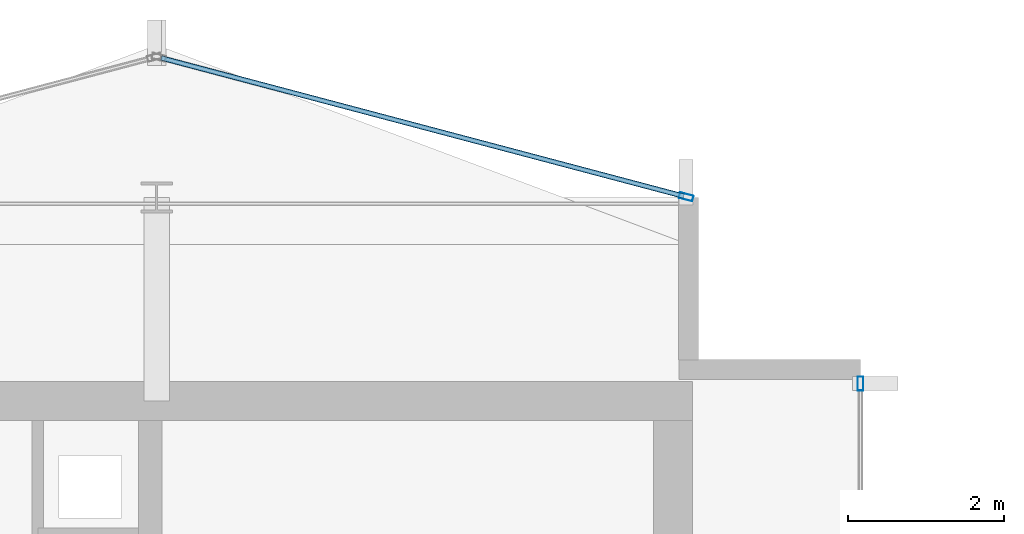
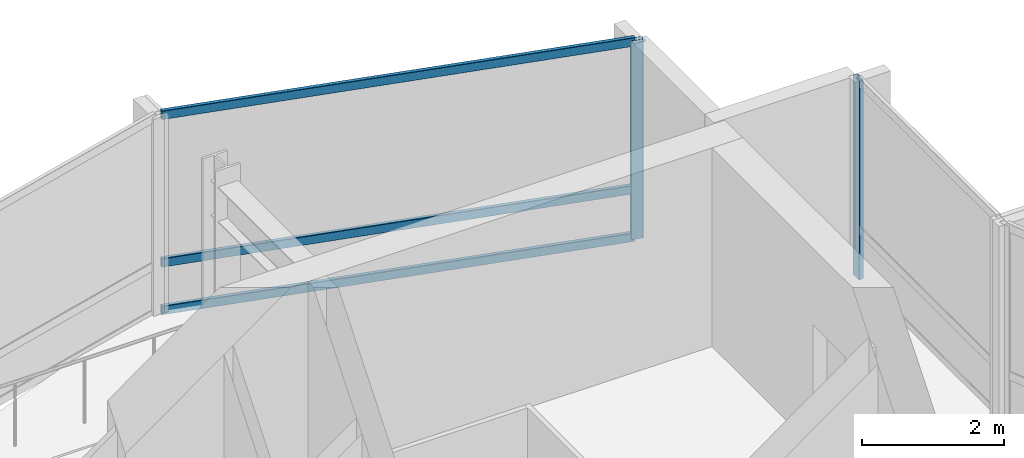
# One storey, part 18 of 28: 5 members, 2 elements without a shape of their own.
"""IFC4 building model written with IfcOpenShell, lengths in metres."""

from ifc_helpers import new_model, si_unit, direction, frame, origin, origin_2d, place, context, subcontext, project, spatial, hollow_rectangle, extrude, material, layer, layer_set, material_profile, profile_set, type_object, element, aggregate, save


model = new_model("IFC4")

# Units and contexts
model_context = context("Model", 3, precision=1e-05, world=origin(), true_north=direction((0.0, 1.0)))
body_context = subcontext(model_context, "Body", "Model", "MODEL_VIEW")
ifc_project = project(units=[si_unit("LENGTHUNIT", "METRE"), si_unit("AREAUNIT", "SQUARE_METRE"), si_unit("VOLUMEUNIT", "CUBIC_METRE"), si_unit("PLANEANGLEUNIT", "RADIAN"), si_unit("MASSUNIT", "GRAM", prefix="KILO")], contexts=[model_context])

# Site, building, storey
site_placement = place(None, origin())
site = spatial("IfcSite", under=ifc_project, at=site_placement, CompositionType="ELEMENT")
building_placement = place(site_placement, origin())
building = spatial("IfcBuilding", under=site, at=building_placement, Name="Solvaryn Broadcast Tower", CompositionType="ELEMENT")
storey_placement = place(building_placement, frame((0.0, 0.0, 209.89990234375)))
storey = spatial("IfcBuildingStorey", under=building, at=storey_placement, Name="L52", CompositionType="ELEMENT", Elevation=209.89990234375)

# Curtain wall, member
ifc_material_1 = material(Name="Aluminium and Terracotta Unitised Curtain Wall", Category="masonry")
ifc_layer = layer(ifc_material_1, 0.199951171875)
ifc_layer_set = layer_set([ifc_layer], Name="CW-SYS2-LOWMID")
curtain_wall_type = type_object("IfcCurtainWallType", Name="CW-SYS2-LOWMID", PredefinedType="NOTDEFINED", material=ifc_layer_set)
curtain_wall_1_placement = place(storey_placement, origin())
curtain_wall_1 = element("IfcCurtainWall", 1, at=curtain_wall_1_placement, inside=storey, type_object=curtain_wall_type, Name="L52 Curtain Wall IV", PredefinedType="NOTDEFINED")
ifc_material_2 = material(Name="Anodised Aluminium 6063-T6", Category="aluminium")
ifc_material_profile_1 = material_profile(ifc_material_2, hollow_rectangle(XDim=0.074951171875, YDim=0.179931640625, WallThickness=0.00390625, InnerFilletRadius=0.00390625, OuterFilletRadius=0.008056640625, at=origin_2d()))
ifc_profile_set_1 = profile_set([ifc_material_profile_1], Name="Anodised Aluminium 6063-T6")
member_type_1 = type_object("IfcMemberType", Name="CW-MUL-180", PredefinedType="MULLION", material=ifc_profile_set_1)
member_1_placement = place(storey_placement, frame((27.0, 42.6201171875, 0.0), z_axis=(0.0, 0.0, 1.0), x_axis=(1.0, 0.0, 0.0)))
member_1 = element("IfcMember", 2, at=member_1_placement, type_object=member_type_1, Name="CWS2 mullion 1", PredefinedType="MULLION", context=body_context, shape_type="SweptSolid", body=[
    extrude(hollow_rectangle(XDim=0.074951171875, YDim=0.179931640625, WallThickness=0.00390625, InnerFilletRadius=0.00390625, OuterFilletRadius=0.008056640625, at=origin_2d()), origin(), (0.0, 0.0, 1.0), 3.420166015625),
])
aggregate(curtain_wall_1, [member_1])

# Curtain wall, members
curtain_wall_2_placement = place(storey_placement, origin())
curtain_wall_2 = element("IfcCurtainWall", 3, at=curtain_wall_2_placement, inside=storey, type_object=curtain_wall_type, Name="L52 Curtain Wall NT1", PredefinedType="NOTDEFINED")
member_2_placement = place(storey_placement, frame((24.77099609375, 45.007568359375, 0.0), z_axis=(0.0, 0.0, 1.0), x_axis=(-0.25589256031, -0.966705227863, 0.0)))
member_2 = element("IfcMember", 4, at=member_2_placement, type_object=member_type_1, Name="CWS2 mullion 1", PredefinedType="MULLION", context=body_context, shape_type="SweptSolid", body=[
    extrude(hollow_rectangle(XDim=0.074951171875, YDim=0.179931640625, WallThickness=0.00390625, InnerFilletRadius=0.00390625, OuterFilletRadius=0.008056640625, at=origin_2d()), origin(), (0.0, 0.0, 1.0), 3.420166015625),
])
ifc_material_3 = material(Name="Anodised Aluminium 6063-T6", Category="aluminium")
ifc_material_profile_2 = material_profile(ifc_material_3, hollow_rectangle(XDim=0.06494140625, YDim=0.14990234375, WallThickness=0.00390625, InnerFilletRadius=0.00390625, OuterFilletRadius=0.008056640625, at=origin_2d()))
ifc_profile_set_2 = profile_set([ifc_material_profile_2], Name="Anodised Aluminium 6063-T6")
member_type_2 = type_object("IfcMemberType", Name="CW-TRN-150", PredefinedType="USERDEFINED", material=ifc_profile_set_2)
member_3_placement = place(storey_placement, frame((24.741943359375, 45.015380859375, 0.030029296875), z_axis=(-0.966703943301, 0.255897413051, 0.0), x_axis=(-0.255897413051, -0.966703943301, 0.0)))
member_3 = element("IfcMember", 5, at=member_3_placement, type_object=member_type_2, Name="CWS2 transom 1.1", ObjectType="TRANSOM", PredefinedType="USERDEFINED", context=body_context, shape_type="SweptSolid", body=[
    extrude(hollow_rectangle(XDim=0.06494140625, YDim=0.14990234375, WallThickness=0.00390625, InnerFilletRadius=0.00390625, OuterFilletRadius=0.008056640625, at=origin_2d()), origin(), (0.0, 0.0, 1.0), 6.9140625),
])
member_4_placement = place(storey_placement, frame((24.741943359375, 45.015380859375, 0.85009765625), z_axis=(-0.966703943301, 0.255897413051, 0.0), x_axis=(-0.255897413051, -0.966703943301, 0.0)))
member_4 = element("IfcMember", 6, at=member_4_placement, type_object=member_type_2, Name="CWS2 transom 1.2", ObjectType="TRANSOM", PredefinedType="USERDEFINED", context=body_context, shape_type="SweptSolid", body=[
    extrude(hollow_rectangle(XDim=0.06494140625, YDim=0.14990234375, WallThickness=0.00390625, InnerFilletRadius=0.00390625, OuterFilletRadius=0.008056640625, at=origin_2d()), origin(), (0.0, 0.0, 1.0), 6.9140625),
])
member_5_placement = place(storey_placement, frame((24.741943359375, 45.015380859375, 3.39013671875), z_axis=(-0.966703943301, 0.255897413051, 0.0), x_axis=(-0.255897413051, -0.966703943301, 0.0)))
member_5 = element("IfcMember", 7, at=member_5_placement, type_object=member_type_2, Name="CWS2 transom 1.3", ObjectType="TRANSOM", PredefinedType="USERDEFINED", context=body_context, shape_type="SweptSolid", body=[
    extrude(hollow_rectangle(XDim=0.06494140625, YDim=0.14990234375, WallThickness=0.00390625, InnerFilletRadius=0.00390625, OuterFilletRadius=0.008056640625, at=origin_2d()), origin(), (0.0, 0.0, 1.0), 6.9140625),
])
aggregate(curtain_wall_2, [member_2, member_3, member_4, member_5])

save(model, "model.ifc")
